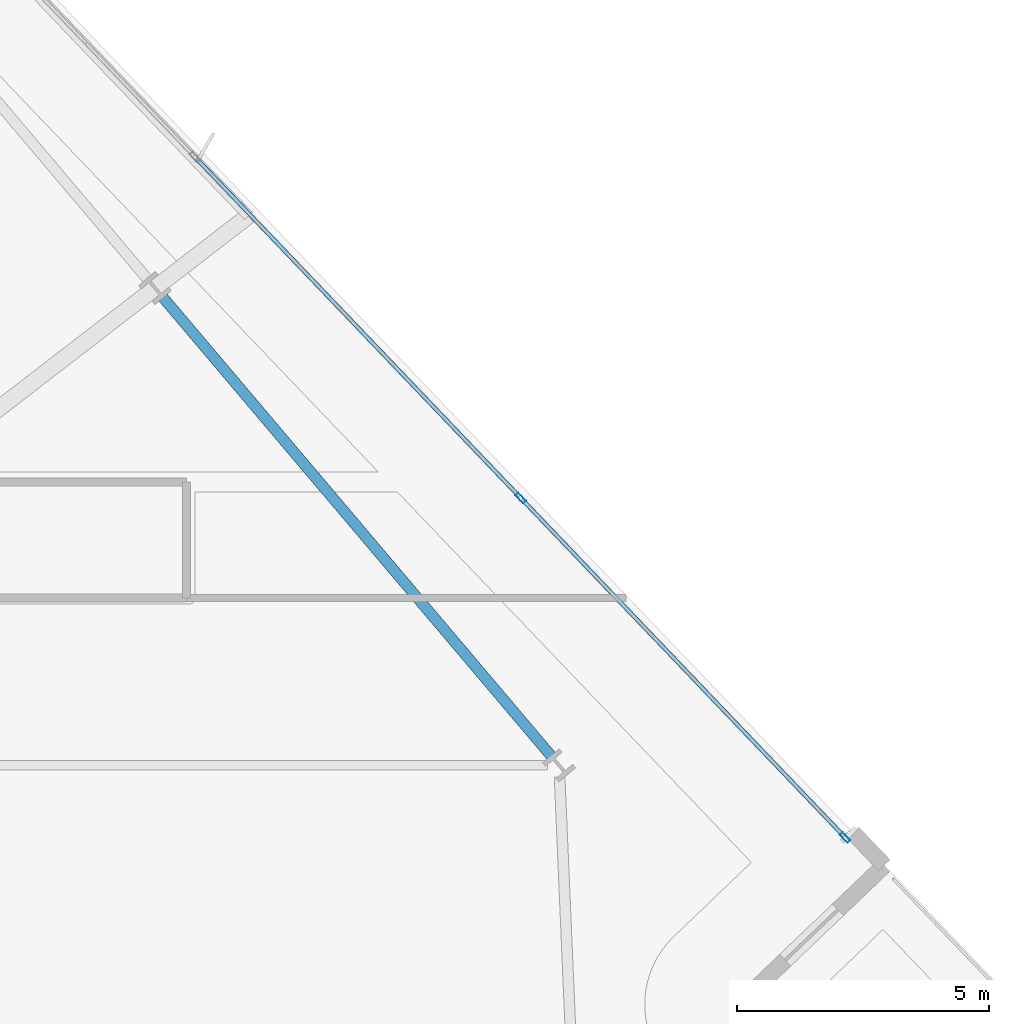
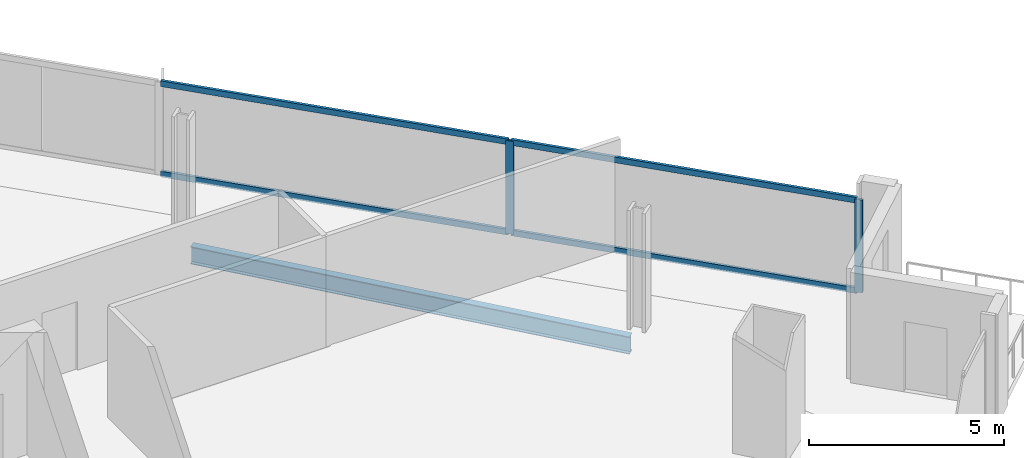
# One storey, part 20 of 33: 6 members, 1 beam, 1 element without a shape of its own.
"""IFC4 building model written with IfcOpenShell, lengths in metres."""

from ifc_helpers import new_model, si_unit, direction, frame, origin, origin_2d, place, context, subcontext, project, spatial, hollow_rectangle, i_section, extrude, material, material_profile, profile_set, type_object, element, aggregate, save


model = new_model("IFC4")

# Units and contexts
model_context = context("Model", 3, precision=1e-05, world=origin(), true_north=direction((0.0, 1.0)))
body_context = subcontext(model_context, "Body", "Model", "MODEL_VIEW")
ifc_project = project(units=[si_unit("LENGTHUNIT", "METRE"), si_unit("AREAUNIT", "SQUARE_METRE"), si_unit("VOLUMEUNIT", "CUBIC_METRE"), si_unit("PLANEANGLEUNIT", "RADIAN"), si_unit("MASSUNIT", "GRAM", prefix="KILO")], contexts=[model_context])

# Site, building, storey
site_placement = place(None, origin())
site = spatial("IfcSite", under=ifc_project, at=site_placement, CompositionType="ELEMENT")
building_placement = place(site_placement, origin())
building = spatial("IfcBuilding", under=site, at=building_placement, Name="Haldenkirk Collegiate Tower", CompositionType="ELEMENT")
storey_placement = place(building_placement, frame((0.0, 0.0, 174.449951171875)))
storey = spatial("IfcBuildingStorey", under=building, at=storey_placement, Name="L43", CompositionType="ELEMENT", Elevation=174.449951171875)

# Beam
ifc_material_1 = material(Name="Steel ASTM A992 Grade 50", Category="steel")
ifc_material_profile_1 = material_profile(ifc_material_1, i_section(OverallWidth=0.2119140625, OverallDepth=0.5439453125, WebThickness=0.01318359375, FlangeThickness=0.021240234375, at=origin_2d()), Name="W21X83")
ifc_profile_set_1 = profile_set([ifc_material_profile_1], Name="Steel ASTM A992 Grade 50")
beam_type = type_object("IfcBeamType", Name="BM-SPANDREL-W21X83", PredefinedType="SPANDREL", material=ifc_profile_set_1)
beam_placement = place(storey_placement, frame((61.051513671875, 30.998779296875, -0.56201171875), z_axis=(-0.646116898468, 0.763238464383, 0.0), x_axis=(-0.763238464383, -0.646116898468, 0.0)))
element("IfcBeam", 1, at=beam_placement, inside=storey, type_object=beam_type, Name="L43 perimeter spandrel beam 06", PredefinedType="SPANDREL", context=body_context, shape_type="SweptSolid", body=[
    extrude(i_section(OverallWidth=0.2119140625, OverallDepth=0.5439453125, WebThickness=0.01318359375, FlangeThickness=0.021240234375, at=origin_2d()), origin(), (0.0, 0.0, 1.0), 11.967041015625),
])

# Curtain wall, members
ifc_material_2 = material(Name="Anodised architectural bronze aluminium", Category="aluminium")
curtain_wall_type = type_object("IfcCurtainWallType", Name="CW-SYS1-CONVEX-LOW", PredefinedType="USERDEFINED", material=ifc_material_2)
curtain_wall_placement = place(storey_placement, origin())
curtain_wall = element("IfcCurtainWall", 2, at=curtain_wall_placement, inside=storey, type_object=curtain_wall_type, Name="L43 Lower tower convex bronze-framed unitised curtain wall", ObjectType="UNITISED CURTAIN WALL", PredefinedType="USERDEFINED")
ifc_material_profile_2 = material_profile(ifc_material_2, hollow_rectangle(XDim=0.080078125, YDim=0.219970703125, WallThickness=0.0048828125, at=origin_2d()), Name="CW-MUL-1A")
ifc_profile_set_2 = profile_set([ifc_material_profile_2], Name="Anodised architectural bronze aluminium")
member_type_1 = type_object("IfcMemberType", Name="CW-MUL-1A", PredefinedType="MULLION", material=ifc_profile_set_2)
member_1_placement = place(storey_placement, frame((60.43798828125, 36.13525390625, 0.0), z_axis=(0.0, 0.0, 1.0), x_axis=(0.722966195918, 0.690883405185, 0.0)))
member_1 = element("IfcMember", 3, at=member_1_placement, type_object=member_type_1, Name="CW-1A mullion 4", PredefinedType="MULLION", context=body_context, shape_type="SweptSolid", body=[
    extrude(hollow_rectangle(XDim=0.080078125, YDim=0.219970703125, WallThickness=0.0048828125, at=origin_2d()), origin(), (0.0, 0.0, 1.0), 2.9111328125),
])
member_2_placement = place(storey_placement, frame((66.883056640625, 29.390869140625, 0.0), z_axis=(0.0, 0.0, 1.0), x_axis=(0.722966195918, 0.690883405185, 0.0)))
member_2 = element("IfcMember", 4, at=member_2_placement, type_object=member_type_1, Name="CW-1A mullion 5", PredefinedType="MULLION", context=body_context, shape_type="SweptSolid", body=[
    extrude(hollow_rectangle(XDim=0.080078125, YDim=0.219970703125, WallThickness=0.0048828125, at=origin_2d()), origin(), (0.0, 0.0, 1.0), 2.9111328125),
])
ifc_material_profile_3 = material_profile(ifc_material_2, hollow_rectangle(XDim=0.080078125, YDim=0.179931640625, WallThickness=0.0048828125, at=origin_2d()), Name="CW-TRN-1A")
ifc_profile_set_3 = profile_set([ifc_material_profile_3], Name="Anodised architectural bronze aluminium")
member_type_2 = type_object("IfcMemberType", Name="CW-TRN-1A", PredefinedType="USERDEFINED", material=ifc_profile_set_3)
member_3_placement = place(storey_placement, frame((53.992919921875, 42.879638671875, 0.0400390625), z_axis=(0.690865098903, -0.722983689386, 0.0), x_axis=(0.722983689386, 0.690865098903, 0.0)))
member_3 = element("IfcMember", 5, at=member_3_placement, type_object=member_type_2, Name="CW-1A transom 3.1", ObjectType="TRANSOM", PredefinedType="USERDEFINED", context=body_context, shape_type="SweptSolid", body=[
    extrude(hollow_rectangle(XDim=0.080078125, YDim=0.179931640625, WallThickness=0.0048828125, at=origin_2d()), origin(), (0.0, 0.0, 1.0), 9.288818359375),
])
member_4_placement = place(storey_placement, frame((53.992919921875, 42.879638671875, 2.87109375), z_axis=(0.690865098903, -0.722983689386, 0.0), x_axis=(0.722983689386, 0.690865098903, 0.0)))
member_4 = element("IfcMember", 6, at=member_4_placement, type_object=member_type_2, Name="CW-1A transom 3.2", ObjectType="TRANSOM", PredefinedType="USERDEFINED", context=body_context, shape_type="SweptSolid", body=[
    extrude(hollow_rectangle(XDim=0.080078125, YDim=0.179931640625, WallThickness=0.0048828125, at=origin_2d()), origin(), (0.0, 0.0, 1.0), 9.288818359375),
])
member_5_placement = place(storey_placement, frame((60.465576171875, 36.106201171875, 0.0400390625), z_axis=(0.690874942662, -0.722974282808, 0.0), x_axis=(0.722974282808, 0.690874942662, 0.0)))
member_5 = element("IfcMember", 7, at=member_5_placement, type_object=member_type_2, Name="CW-1A transom 4.1", ObjectType="TRANSOM", PredefinedType="USERDEFINED", context=body_context, shape_type="SweptSolid", body=[
    extrude(hollow_rectangle(XDim=0.080078125, YDim=0.179931640625, WallThickness=0.0048828125, at=origin_2d()), origin(), (0.0, 0.0, 1.0), 9.24853515625),
])
member_6_placement = place(storey_placement, frame((60.465576171875, 36.106201171875, 2.87109375), z_axis=(0.690874942662, -0.722974282808, 0.0), x_axis=(0.722974282808, 0.690874942662, 0.0)))
member_6 = element("IfcMember", 8, at=member_6_placement, type_object=member_type_2, Name="CW-1A transom 4.2", ObjectType="TRANSOM", PredefinedType="USERDEFINED", context=body_context, shape_type="SweptSolid", body=[
    extrude(hollow_rectangle(XDim=0.080078125, YDim=0.179931640625, WallThickness=0.0048828125, at=origin_2d()), origin(), (0.0, 0.0, 1.0), 9.24853515625),
])
aggregate(curtain_wall, [member_1, member_2, member_3, member_4, member_5, member_6])

save(model, "model.ifc")
